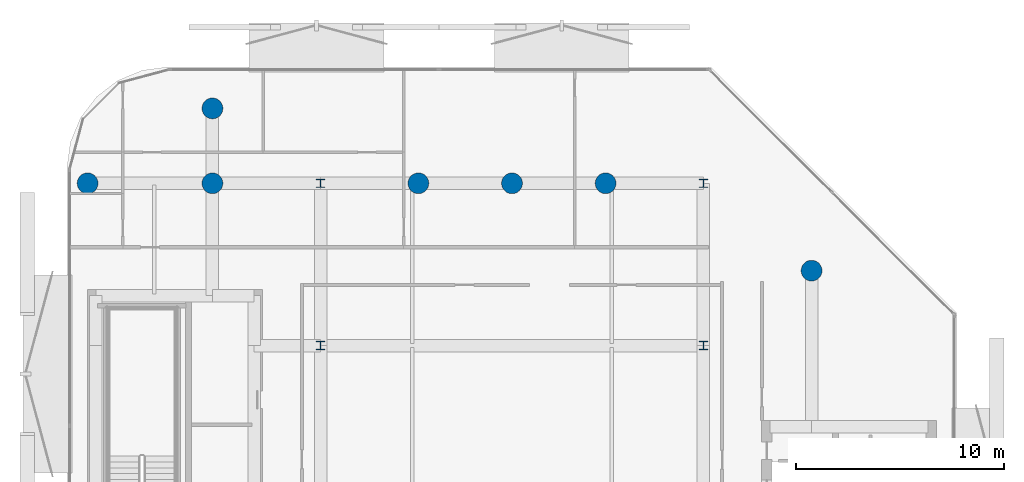
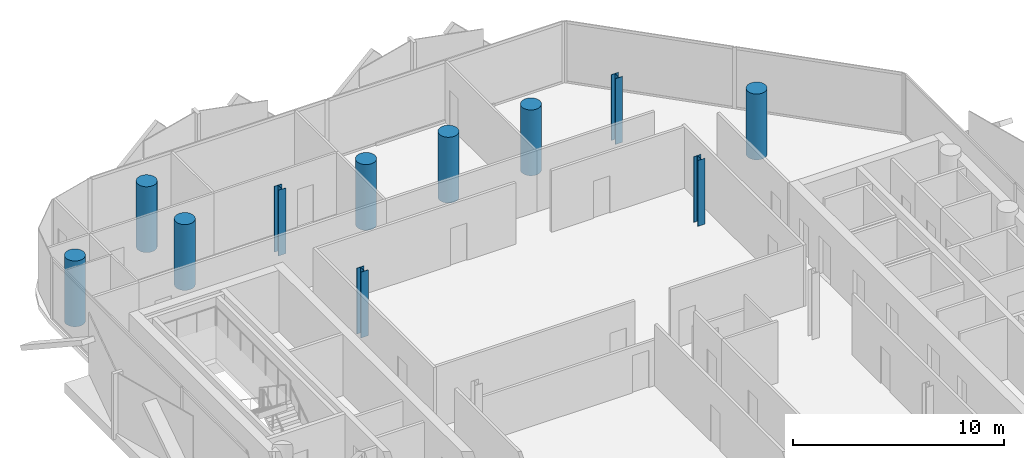
# One storey, part 2 of 15: 11 columns.
"""IFC4 building model written with IfcOpenShell, lengths in metres."""

import ifcopenshell
import ifcopenshell.guid

model = None  # the IFC model being written
_history = None  # IfcOwnerHistory: only IFC2X3 demands one
_inside = {}  # id of a spatial element -> (the spatial element, [elements in it])
_under = {}  # id of a project, library or spatial element -> (it, [spatial elements below it])
_declared = {}  # id of a project -> (the project, [libraries it declares])
_typed = {}  # id of a type object -> (the type object, [elements of that type])
_made_of = {}  # id of a material, layer set ... -> (it, [elements and type objects made of it])


def new_model(schema):
    """Start an empty IFC model of exactly this schema.

    Asked for "IFC4X3", IfcOpenShell would pick the latest addendum, in which some entities
    have other attributes; the version numbers below select the first issue.
    IFC2X3 requires an IfcOwnerHistory on every rooted entity: one is made here for all.
    """
    global model, _history
    if schema == "IFC4X3":
        model = ifcopenshell.file(schema_version=(4, 3, 0, 0))
    else:
        model = ifcopenshell.file(schema=schema)
    _inside.clear()
    _under.clear()
    _declared.clear()
    _typed.clear()
    _made_of.clear()
    _history = None
    if model.schema == "IFC2X3":
        org = make("IfcOrganization", Name="unknown")
        user = make(
            "IfcPersonAndOrganization",
            ThePerson=make("IfcPerson", FamilyName="unknown"),
            TheOrganization=org,
        )
        app = make(
            "IfcApplication",
            ApplicationDeveloper=org,
            Version="unknown",
            ApplicationFullName="unknown",
            ApplicationIdentifier="unknown",
        )
        _history = make(
            "IfcOwnerHistory",
            OwningUser=user,
            OwningApplication=app,
            ChangeAction="ADDED",
            CreationDate=0,
        )
    return model


def make(cls, **values):
    """One entity of the class cls with the attributes given. An attribute that is None is left unset."""
    return model.create_entity(
        cls, **{name: value for name, value in values.items() if value is not None}
    )


def rooted(cls, **values):
    """An entity with a GlobalId (a new one), such as an element, a storey or a relation."""
    return make(cls, GlobalId=ifcopenshell.guid.new(), OwnerHistory=_history, **values)


def si_unit(unit_type, name, prefix=None):
    """IfcSIUnit, for example si_unit("LENGTHUNIT", "METRE", prefix="MILLI")."""
    return make("IfcSIUnit", UnitType=unit_type, Prefix=prefix, Name=name)


def assignment(units):
    """IfcUnitAssignment: the units of a project."""
    return None if units is None else make("IfcUnitAssignment", Units=units)


def point(xyz):
    """IfcCartesianPoint."""
    return None if xyz is None else make("IfcCartesianPoint", Coordinates=xyz)


def direction(xyz):
    """IfcDirection."""
    return None if xyz is None else make("IfcDirection", DirectionRatios=xyz)


def frame(location, z_axis=None, x_axis=None):
    """IfcAxis2Placement3D, a coordinate frame: its origin and axes. An axis left out is left unset."""
    return make(
        "IfcAxis2Placement3D",
        Location=point(location),
        Axis=direction(z_axis),
        RefDirection=direction(x_axis),
    )


def frame_2d(location, x_axis=None):
    """IfcAxis2Placement2D, a coordinate frame in the plane: its origin and x axis."""
    return make(
        "IfcAxis2Placement2D", Location=point(location), RefDirection=direction(x_axis)
    )


def origin():
    """The frame at (0, 0, 0) with its axes left unset."""
    return frame((0.0, 0.0, 0.0))


def origin_2d():
    """The frame at (0, 0) in the plane with its x axis left unset."""
    return frame_2d((0.0, 0.0))


def place(relative_to, where):
    """IfcLocalPlacement: puts the frame where relative to a parent placement (None: the world)."""
    return make(
        "IfcLocalPlacement", PlacementRelTo=relative_to, RelativePlacement=where
    )


def context(
    kind, dimensions, precision=None, world=None, true_north=None, identifier=None
):
    """IfcGeometricRepresentationContext, for example the 3D "Model" context."""
    return make(
        "IfcGeometricRepresentationContext",
        ContextIdentifier=identifier,
        ContextType=kind,
        CoordinateSpaceDimension=dimensions,
        Precision=precision,
        WorldCoordinateSystem=world,
        TrueNorth=true_north,
    )


def subcontext(parent, identifier, kind, view, scale=None):
    """IfcGeometricRepresentationSubContext, for example "Body" below "Model"."""
    return make(
        "IfcGeometricRepresentationSubContext",
        ContextIdentifier=identifier,
        ContextType=kind,
        ParentContext=parent,
        TargetScale=scale,
        TargetView=view,
    )


def project(units=None, contexts=None):
    """IfcProject with its units and contexts."""
    return rooted(
        "IfcProject",
        Name="project",
        RepresentationContexts=contexts,
        UnitsInContext=assignment(units),
    )


def spatial(cls, under=None, at=None, **own):
    """A site, building, storey or space (cls), placed at a placement, below another one or the project."""
    s = rooted(cls, ObjectPlacement=at, **own)
    if under is not None:
        _under.setdefault(under.id(), (under, []))[1].append(s)
    return s


def profile(cls, at=None, kind="AREA", **sizes):
    """A parametric profile (cls). Its sizes go by their IFC names, for example OverallWidth=200.0."""
    return make(cls, ProfileType=kind, Position=at, **sizes)


def circle(**sizes):
    """IfcCircleProfileDef."""
    return profile("IfcCircleProfileDef", **sizes)


def i_section(**sizes):
    """IfcIShapeProfileDef."""
    return profile("IfcIShapeProfileDef", **sizes)


def extrude(swept, where, along, depth):
    """IfcExtrudedAreaSolid: the profile swept, set in the frame where, extruded along a direction by depth."""
    return make(
        "IfcExtrudedAreaSolid",
        SweptArea=swept,
        Position=where,
        ExtrudedDirection=direction(along),
        Depth=depth,
    )


def shape(context_of_items, identifier, shape_type, items):
    """IfcShapeRepresentation: the items that make up one representation, for example the "Body"."""
    return make(
        "IfcShapeRepresentation",
        ContextOfItems=context_of_items,
        RepresentationIdentifier=identifier,
        RepresentationType=shape_type,
        Items=items,
    )


def material(Name=None, Category=None):
    """IfcMaterial."""
    return make("IfcMaterial", Name=Name, Category=Category)


def material_profile(
    of_material, cross_section, Name=None, Category=None, Priority=None
):
    """IfcMaterialProfile: a cross section and its material."""
    return make(
        "IfcMaterialProfile",
        Name=Name,
        Material=of_material,
        Profile=cross_section,
        Priority=Priority,
        Category=Category,
    )


def profile_set(profiles, Name=None, composite=None):
    """IfcMaterialProfileSet."""
    return make(
        "IfcMaterialProfileSet",
        Name=Name,
        MaterialProfiles=profiles,
        CompositeProfile=composite,
    )


def made_of(thing, what):
    """Note that an element or type object is made of a material, layer set ...; save() writes the relation."""
    if what is not None:
        _made_of.setdefault(what.id(), (what, []))[1].append(thing)
    return thing


def type_object(cls, material=None, **own):
    """A type object (cls), such as IfcWallType, which elements share."""
    return made_of(rooted(cls, **own), material)


def element(
    cls,
    number,
    at=None,
    inside=None,
    cuts=None,
    type_object=None,
    material=None,
    context=None,
    identifier="Body",
    shape_type=None,
    held_by="IfcProductDefinitionShape",
    body=None,
    shapes=None,
    **own,
):
    """One element of the class cls, such as IfcWall. Its Tag is "e" and its number.

    at: its placement. inside: the storey or other place that contains it. cuts: it is an
    opening in that element (IfcRelVoidsElement). A single representation is given by context,
    identifier, shape_type and body (its items); several are given by shapes. held_by: the class
    of the entity that holds the representations. save() writes the other relations.
    """
    e = rooted(cls, Tag="e%d" % number, ObjectPlacement=at, **own)
    if body is not None:
        shapes = [shape(context, identifier, shape_type, body)]
    if shapes is not None:
        e.Representation = make(held_by, Representations=shapes)
    if inside is not None:
        _inside.setdefault(inside.id(), (inside, []))[1].append(e)
    if cuts is not None:
        rooted(
            "IfcRelVoidsElement", RelatingBuildingElement=cuts, RelatedOpeningElement=e
        )
    if type_object is not None:
        _typed.setdefault(type_object.id(), (type_object, []))[1].append(e)
    return made_of(e, material)


def aggregate(whole, parts):
    """IfcRelAggregates: a whole, such as a stair, and the parts it consists of."""
    return rooted("IfcRelAggregates", RelatingObject=whole, RelatedObjects=parts)


def save(model, path):
    """Write the relations noted so far, then the file.

    IfcRelAggregates (storeys below a building ...), IfcRelContainedInSpatialStructure (elements
    in a storey), IfcRelDefinesByType, IfcRelAssociatesMaterial and IfcRelDeclares: one each for
    every whole, place, type object, material and project.
    """
    for whole, parts in _under.values():
        aggregate(whole, parts)
    for where, things in _inside.values():
        rooted(
            "IfcRelContainedInSpatialStructure",
            RelatedElements=things,
            RelatingStructure=where,
        )
    for kind, things in _typed.values():
        rooted("IfcRelDefinesByType", RelatedObjects=things, RelatingType=kind)
    for what, things in _made_of.values():
        rooted("IfcRelAssociatesMaterial", RelatedObjects=things, RelatingMaterial=what)
    for by, libraries in _declared.values():
        rooted("IfcRelDeclares", RelatingContext=by, RelatedDefinitions=libraries)
    model.write(path)


model = new_model("IFC4")

# Units and contexts
model_context = context("Model", 3, precision=1e-05, world=origin(), true_north=direction((0.0, 1.0)))
body_context = subcontext(model_context, "Body", "Model", "MODEL_VIEW")
ifc_project = project(units=[si_unit("LENGTHUNIT", "METRE"), si_unit("AREAUNIT", "SQUARE_METRE"), si_unit("VOLUMEUNIT", "CUBIC_METRE"), si_unit("PLANEANGLEUNIT", "RADIAN"), si_unit("MASSUNIT", "GRAM", prefix="KILO")], contexts=[model_context])

# Site, building, storey
site_placement = place(None, origin())
site = spatial("IfcSite", under=ifc_project, at=site_placement, CompositionType="ELEMENT")
building_placement = place(site_placement, origin())
building = spatial("IfcBuilding", under=site, at=building_placement, Name="Khairoan Windgate Tower", CompositionType="ELEMENT")
storey_placement = place(building_placement, frame((0.0, 0.0, 289.0)))
storey = spatial("IfcBuildingStorey", under=building, at=storey_placement, Name="L69", CompositionType="ELEMENT", Elevation=289.0)

# Columns
ifc_material_1 = material(Name="Concrete C60/75", Category="concrete")
ifc_material_profile_1 = material_profile(ifc_material_1, circle(Radius=0.5, at=origin_2d()))
ifc_profile_set_1 = profile_set([ifc_material_profile_1], Name="Concrete C60/75")
column_type_1 = type_object("IfcColumnType", Name="Column C-P1 RC-D1000", PredefinedType="COLUMN", material=ifc_profile_set_1)
for number, where, z_axis, x_axis, name in (
    (1, (-20.39990234375, 18.60009765625, 0.0), (0.0, 0.0, 1.0), (1.0, 0.0, 0.0), "Column L69-11"),
    (2, (-14.39990234375, 18.60009765625, 0.0), (0.0, 0.0, 1.0), (1.0, 0.0, 0.0), "Column L69-14"),
    (3, (14.39990234375, 14.39990234375, 0.0), (0.0, 0.0, 1.0), (1.0, 0.0, 0.0), "Column L69-16"),
    (4, (-4.5, 18.60009765625, 0.0), (0.0, 0.0, 1.0), (1.0, 0.0, 0.0), "Column L69-20"),
    (5, (0.0, 18.60009765625, 0.0), (0.0, 0.0, 1.0), (1.0, 0.0, 0.0), "Column L69-21"),
    (6, (4.5, 18.60009765625, 0.0), (0.0, 0.0, 1.0), (1.0, 0.0, 0.0), "Column L69-22"),
    (7, (-14.39990234375, 22.199951171875, 0.0), (0.0, 0.0, 1.0), (1.0, 0.0, 0.0), "Column L69-28"),
):
    element("IfcColumn", number, at=place(storey_placement, frame(where, z_axis=z_axis, x_axis=x_axis)), inside=storey, type_object=column_type_1, Name=name, PredefinedType="COLUMN", context=body_context, shape_type="SweptSolid", body=[
        extrude(circle(Radius=0.5, at=origin_2d()), origin(), (0.0, 0.0, 1.0), 3.800048828125),
    ])
ifc_material_2 = material(Name="Steel S355", Category="steel")
ifc_material_profile_2 = material_profile(ifc_material_2, i_section(OverallWidth=0.39990234375, OverallDepth=0.39990234375, WebThickness=0.012939453125, FlangeThickness=0.02099609375, FilletRadius=0.02197265625, at=origin_2d()))
ifc_profile_set_2 = profile_set([ifc_material_profile_2], Name="Steel S355")
column_type_2 = type_object("IfcColumnType", Name="Steel Column SC4 H400x400x13x21", PredefinedType="COLUMN", material=ifc_profile_set_2)
for number, where, z_axis, x_axis, name in (
    (8, (-9.199951171875, 10.800048828125, 0.0), (0.0, 0.0, 1.0), (1.0, 0.0, 0.0), "Column L69-04"),
    (9, (-9.199951171875, 18.60009765625, 0.0), (0.0, 0.0, 1.0), (1.0, 0.0, 0.0), "Column L69-05"),
    (10, (9.199951171875, 10.800048828125, 0.0), (0.0, 0.0, 1.0), (1.0, 0.0, 0.0), "Column L69-09"),
    (11, (9.199951171875, 18.60009765625, 0.0), (0.0, 0.0, 1.0), (1.0, 0.0, 0.0), "Column L69-10"),
):
    element("IfcColumn", number, at=place(storey_placement, frame(where, z_axis=z_axis, x_axis=x_axis)), inside=storey, type_object=column_type_2, Name=name, PredefinedType="COLUMN", context=body_context, shape_type="SweptSolid", body=[
        extrude(i_section(OverallWidth=0.39990234375, OverallDepth=0.39990234375, WebThickness=0.012939453125, FlangeThickness=0.02099609375, FilletRadius=0.02197265625, at=origin_2d()), origin(), (0.0, 0.0, 1.0), 3.800048828125),
    ])

save(model, "model.ifc")
